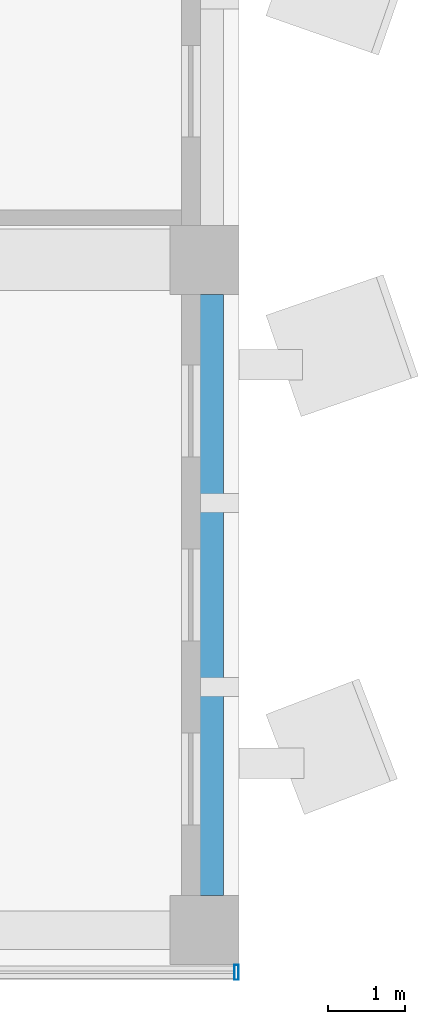
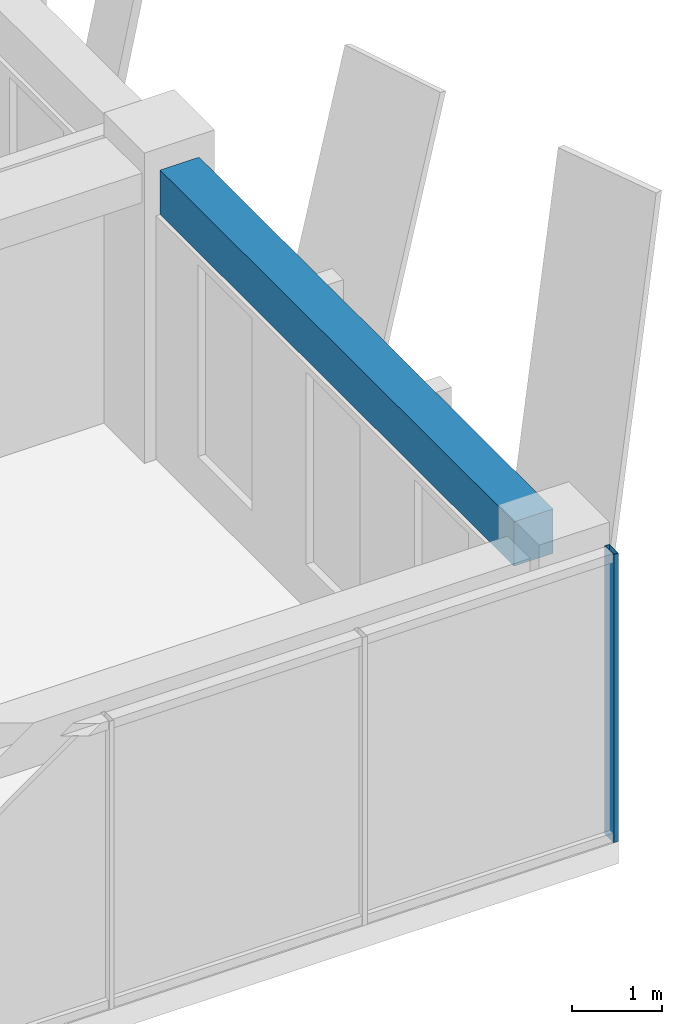
# One storey, part 14 of 38: 1 beam, 1 member, 1 element without a shape of its own.
"""IFC4 building model written with IfcOpenShell, lengths in metres."""

import ifcopenshell
import ifcopenshell.guid

model = None  # the IFC model being written
_history = None  # IfcOwnerHistory: only IFC2X3 demands one
_inside = {}  # id of a spatial element -> (the spatial element, [elements in it])
_under = {}  # id of a project, library or spatial element -> (it, [spatial elements below it])
_declared = {}  # id of a project -> (the project, [libraries it declares])
_typed = {}  # id of a type object -> (the type object, [elements of that type])
_made_of = {}  # id of a material, layer set ... -> (it, [elements and type objects made of it])


def new_model(schema):
    """Start an empty IFC model of exactly this schema.

    Asked for "IFC4X3", IfcOpenShell would pick the latest addendum, in which some entities
    have other attributes; the version numbers below select the first issue.
    IFC2X3 requires an IfcOwnerHistory on every rooted entity: one is made here for all.
    """
    global model, _history
    if schema == "IFC4X3":
        model = ifcopenshell.file(schema_version=(4, 3, 0, 0))
    else:
        model = ifcopenshell.file(schema=schema)
    _inside.clear()
    _under.clear()
    _declared.clear()
    _typed.clear()
    _made_of.clear()
    _history = None
    if model.schema == "IFC2X3":
        org = make("IfcOrganization", Name="unknown")
        user = make(
            "IfcPersonAndOrganization",
            ThePerson=make("IfcPerson", FamilyName="unknown"),
            TheOrganization=org,
        )
        app = make(
            "IfcApplication",
            ApplicationDeveloper=org,
            Version="unknown",
            ApplicationFullName="unknown",
            ApplicationIdentifier="unknown",
        )
        _history = make(
            "IfcOwnerHistory",
            OwningUser=user,
            OwningApplication=app,
            ChangeAction="ADDED",
            CreationDate=0,
        )
    return model


def make(cls, **values):
    """One entity of the class cls with the attributes given. An attribute that is None is left unset."""
    return model.create_entity(
        cls, **{name: value for name, value in values.items() if value is not None}
    )


def rooted(cls, **values):
    """An entity with a GlobalId (a new one), such as an element, a storey or a relation."""
    return make(cls, GlobalId=ifcopenshell.guid.new(), OwnerHistory=_history, **values)


def si_unit(unit_type, name, prefix=None):
    """IfcSIUnit, for example si_unit("LENGTHUNIT", "METRE", prefix="MILLI")."""
    return make("IfcSIUnit", UnitType=unit_type, Prefix=prefix, Name=name)


def assignment(units):
    """IfcUnitAssignment: the units of a project."""
    return None if units is None else make("IfcUnitAssignment", Units=units)


def point(xyz):
    """IfcCartesianPoint."""
    return None if xyz is None else make("IfcCartesianPoint", Coordinates=xyz)


def direction(xyz):
    """IfcDirection."""
    return None if xyz is None else make("IfcDirection", DirectionRatios=xyz)


def frame(location, z_axis=None, x_axis=None):
    """IfcAxis2Placement3D, a coordinate frame: its origin and axes. An axis left out is left unset."""
    return make(
        "IfcAxis2Placement3D",
        Location=point(location),
        Axis=direction(z_axis),
        RefDirection=direction(x_axis),
    )


def frame_2d(location, x_axis=None):
    """IfcAxis2Placement2D, a coordinate frame in the plane: its origin and x axis."""
    return make(
        "IfcAxis2Placement2D", Location=point(location), RefDirection=direction(x_axis)
    )


def origin():
    """The frame at (0, 0, 0) with its axes left unset."""
    return frame((0.0, 0.0, 0.0))


def origin_2d():
    """The frame at (0, 0) in the plane with its x axis left unset."""
    return frame_2d((0.0, 0.0))


def place(relative_to, where):
    """IfcLocalPlacement: puts the frame where relative to a parent placement (None: the world)."""
    return make(
        "IfcLocalPlacement", PlacementRelTo=relative_to, RelativePlacement=where
    )


def context(
    kind, dimensions, precision=None, world=None, true_north=None, identifier=None
):
    """IfcGeometricRepresentationContext, for example the 3D "Model" context."""
    return make(
        "IfcGeometricRepresentationContext",
        ContextIdentifier=identifier,
        ContextType=kind,
        CoordinateSpaceDimension=dimensions,
        Precision=precision,
        WorldCoordinateSystem=world,
        TrueNorth=true_north,
    )


def subcontext(parent, identifier, kind, view, scale=None):
    """IfcGeometricRepresentationSubContext, for example "Body" below "Model"."""
    return make(
        "IfcGeometricRepresentationSubContext",
        ContextIdentifier=identifier,
        ContextType=kind,
        ParentContext=parent,
        TargetScale=scale,
        TargetView=view,
    )


def project(units=None, contexts=None):
    """IfcProject with its units and contexts."""
    return rooted(
        "IfcProject",
        Name="project",
        RepresentationContexts=contexts,
        UnitsInContext=assignment(units),
    )


def spatial(cls, under=None, at=None, **own):
    """A site, building, storey or space (cls), placed at a placement, below another one or the project."""
    s = rooted(cls, ObjectPlacement=at, **own)
    if under is not None:
        _under.setdefault(under.id(), (under, []))[1].append(s)
    return s


def profile(cls, at=None, kind="AREA", **sizes):
    """A parametric profile (cls). Its sizes go by their IFC names, for example OverallWidth=200.0."""
    return make(cls, ProfileType=kind, Position=at, **sizes)


def rectangle(**sizes):
    """IfcRectangleProfileDef."""
    return profile("IfcRectangleProfileDef", **sizes)


def hollow_rectangle(**sizes):
    """IfcRectangleHollowProfileDef."""
    return profile("IfcRectangleHollowProfileDef", **sizes)


def extrude(swept, where, along, depth):
    """IfcExtrudedAreaSolid: the profile swept, set in the frame where, extruded along a direction by depth."""
    return make(
        "IfcExtrudedAreaSolid",
        SweptArea=swept,
        Position=where,
        ExtrudedDirection=direction(along),
        Depth=depth,
    )


def shape(context_of_items, identifier, shape_type, items):
    """IfcShapeRepresentation: the items that make up one representation, for example the "Body"."""
    return make(
        "IfcShapeRepresentation",
        ContextOfItems=context_of_items,
        RepresentationIdentifier=identifier,
        RepresentationType=shape_type,
        Items=items,
    )


def material(Name=None, Category=None):
    """IfcMaterial."""
    return make("IfcMaterial", Name=Name, Category=Category)


def layer(
    of_material, thickness, ventilated=None, Name=None, Category=None, Priority=None
):
    """IfcMaterialLayer: one layer of a wall or slab, of a material (None: an air gap)."""
    return make(
        "IfcMaterialLayer",
        Material=of_material,
        LayerThickness=thickness,
        IsVentilated=ventilated,
        Name=Name,
        Category=Category,
        Priority=Priority,
    )


def layer_set(layers, Name=None):
    """IfcMaterialLayerSet."""
    return make("IfcMaterialLayerSet", MaterialLayers=layers, LayerSetName=Name)


def material_profile(
    of_material, cross_section, Name=None, Category=None, Priority=None
):
    """IfcMaterialProfile: a cross section and its material."""
    return make(
        "IfcMaterialProfile",
        Name=Name,
        Material=of_material,
        Profile=cross_section,
        Priority=Priority,
        Category=Category,
    )


def profile_set(profiles, Name=None, composite=None):
    """IfcMaterialProfileSet."""
    return make(
        "IfcMaterialProfileSet",
        Name=Name,
        MaterialProfiles=profiles,
        CompositeProfile=composite,
    )


def made_of(thing, what):
    """Note that an element or type object is made of a material, layer set ...; save() writes the relation."""
    if what is not None:
        _made_of.setdefault(what.id(), (what, []))[1].append(thing)
    return thing


def type_object(cls, material=None, **own):
    """A type object (cls), such as IfcWallType, which elements share."""
    return made_of(rooted(cls, **own), material)


def element(
    cls,
    number,
    at=None,
    inside=None,
    cuts=None,
    type_object=None,
    material=None,
    context=None,
    identifier="Body",
    shape_type=None,
    held_by="IfcProductDefinitionShape",
    body=None,
    shapes=None,
    **own,
):
    """One element of the class cls, such as IfcWall. Its Tag is "e" and its number.

    at: its placement. inside: the storey or other place that contains it. cuts: it is an
    opening in that element (IfcRelVoidsElement). A single representation is given by context,
    identifier, shape_type and body (its items); several are given by shapes. held_by: the class
    of the entity that holds the representations. save() writes the other relations.
    """
    e = rooted(cls, Tag="e%d" % number, ObjectPlacement=at, **own)
    if body is not None:
        shapes = [shape(context, identifier, shape_type, body)]
    if shapes is not None:
        e.Representation = make(held_by, Representations=shapes)
    if inside is not None:
        _inside.setdefault(inside.id(), (inside, []))[1].append(e)
    if cuts is not None:
        rooted(
            "IfcRelVoidsElement", RelatingBuildingElement=cuts, RelatedOpeningElement=e
        )
    if type_object is not None:
        _typed.setdefault(type_object.id(), (type_object, []))[1].append(e)
    return made_of(e, material)


def aggregate(whole, parts):
    """IfcRelAggregates: a whole, such as a stair, and the parts it consists of."""
    return rooted("IfcRelAggregates", RelatingObject=whole, RelatedObjects=parts)


def save(model, path):
    """Write the relations noted so far, then the file.

    IfcRelAggregates (storeys below a building ...), IfcRelContainedInSpatialStructure (elements
    in a storey), IfcRelDefinesByType, IfcRelAssociatesMaterial and IfcRelDeclares: one each for
    every whole, place, type object, material and project.
    """
    for whole, parts in _under.values():
        aggregate(whole, parts)
    for where, things in _inside.values():
        rooted(
            "IfcRelContainedInSpatialStructure",
            RelatedElements=things,
            RelatingStructure=where,
        )
    for kind, things in _typed.values():
        rooted("IfcRelDefinesByType", RelatedObjects=things, RelatingType=kind)
    for what, things in _made_of.values():
        rooted("IfcRelAssociatesMaterial", RelatedObjects=things, RelatingMaterial=what)
    for by, libraries in _declared.values():
        rooted("IfcRelDeclares", RelatingContext=by, RelatedDefinitions=libraries)
    model.write(path)


model = new_model("IFC4")

# Units and contexts
model_context = context("Model", 3, precision=1e-05, world=origin(), true_north=direction((0.0, 1.0)))
body_context = subcontext(model_context, "Body", "Model", "MODEL_VIEW")
ifc_project = project(units=[si_unit("LENGTHUNIT", "METRE"), si_unit("AREAUNIT", "SQUARE_METRE"), si_unit("VOLUMEUNIT", "CUBIC_METRE"), si_unit("PLANEANGLEUNIT", "RADIAN"), si_unit("MASSUNIT", "GRAM", prefix="KILO")], contexts=[model_context])

# Site, building, storey
site_placement = place(None, origin())
site = spatial("IfcSite", under=ifc_project, at=site_placement, CompositionType="ELEMENT")
building_placement = place(site_placement, origin())
building = spatial("IfcBuilding", under=site, at=building_placement, Name="Nzadi Deep Aquarium and Research Tower", CompositionType="ELEMENT")
storey_placement = place(building_placement, frame((0.0, 0.0, 52.89990234375)))
storey = spatial("IfcBuildingStorey", under=building, at=storey_placement, Name="L10", CompositionType="ELEMENT", Elevation=52.89990234375)

# Curtain wall, member
ifc_material_1 = material(Name="Aluminium unitised frame", Category="aluminium")
ifc_layer = layer(ifc_material_1, 0.199951171875)
ifc_layer_set = layer_set([ifc_layer], Name="Aluminium unitised frame")
curtain_wall_type = type_object("IfcCurtainWallType", Name="Curtain wall Unitised 200", PredefinedType="NOTDEFINED", material=ifc_layer_set)
curtain_wall_placement = place(storey_placement, origin())
curtain_wall = element("IfcCurtainWall", 1, at=curtain_wall_placement, inside=storey, type_object=curtain_wall_type, Name="Unitised curtain wall blade A south L10", PredefinedType="NOTDEFINED")
ifc_material_2 = material(Name="Aluminium unitised frame", Category="aluminium")
ifc_material_profile_1 = material_profile(ifc_material_2, hollow_rectangle(XDim=0.199951171875, YDim=0.06005859375, WallThickness=0.0048828125, at=origin_2d()))
ifc_profile_set_1 = profile_set([ifc_material_profile_1], Name="Aluminium unitised frame")
member_type = type_object("IfcMemberType", Name="Mullion 60x200 Unitised", PredefinedType="MULLION", material=ifc_profile_set_1)
member_placement = place(storey_placement, frame((48.419921875, -0.10009765625, 0.0), z_axis=(0.0, 0.0, 1.0), x_axis=(0.0, 1.0, 0.0)))
member = element("IfcMember", 2, at=member_placement, type_object=member_type, Name="CW036 mullion 16", PredefinedType="MULLION", context=body_context, shape_type="SweptSolid", body=[
    extrude(hollow_rectangle(XDim=0.199951171875, YDim=0.06005859375, WallThickness=0.0048828125, at=origin_2d()), origin(), (0.0, 0.0, 1.0), 3.900146484375),
])
aggregate(curtain_wall, [member])

# Beam
ifc_material_3 = material(Name="Concrete C35/45", Category="concrete")
ifc_material_profile_2 = material_profile(ifc_material_3, rectangle(XDim=0.5, YDim=0.60009765625, at=origin_2d()))
ifc_profile_set_2 = profile_set([ifc_material_profile_2], Name="Concrete C35/45")
beam_type = type_object("IfcBeamType", Name="RC 500x600", PredefinedType="BEAM", material=ifc_profile_set_2)
beam_placement = place(storey_placement, frame((48.0, 0.89990234375, 3.60009765625), z_axis=(0.0, 1.0, 0.0), x_axis=(-1.0, 0.0, 0.0)))
element("IfcBeam", 3, at=beam_placement, inside=storey, type_object=beam_type, Name="B-Z1-L10-CF-1-1", PredefinedType="BEAM", context=body_context, shape_type="SweptSolid", body=[
    extrude(rectangle(XDim=0.5, YDim=0.60009765625, at=origin_2d()), origin(), (0.0, 0.0, 1.0), 7.85009765625),
])

save(model, "model.ifc")
